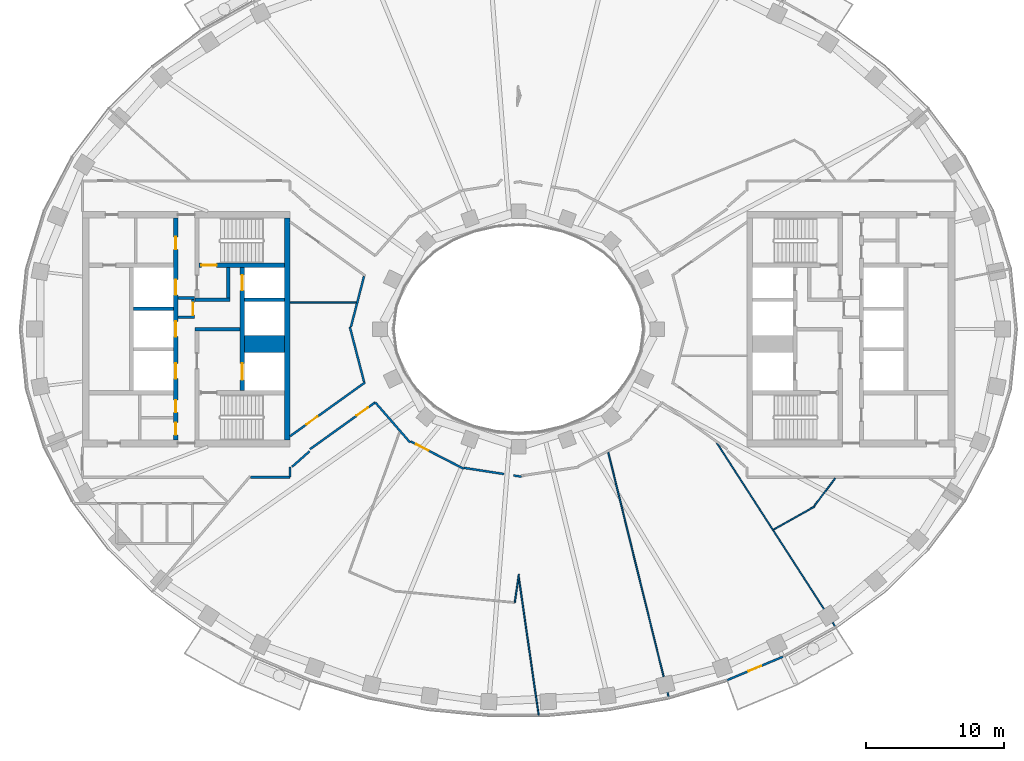
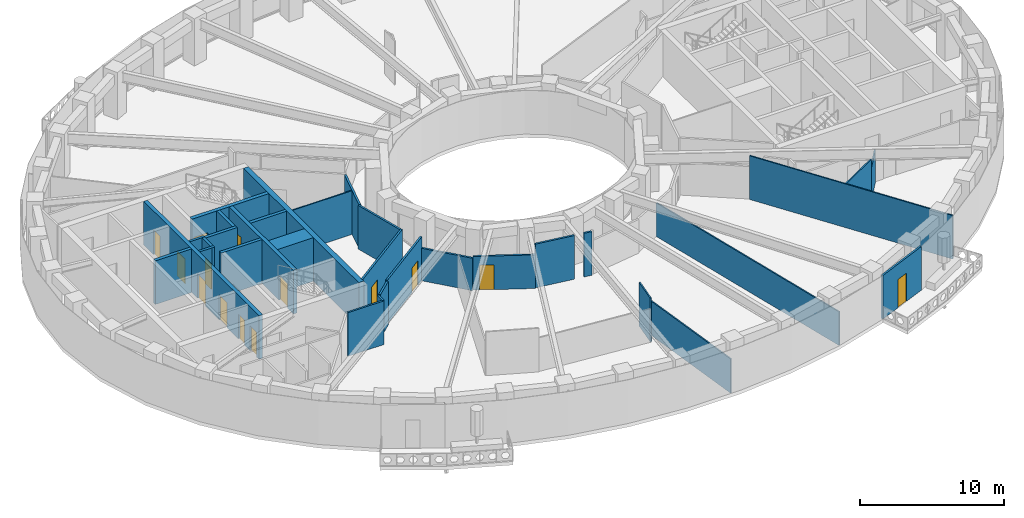
# One storey, part 4 of 15: 32 walls, 14 doors, 14 openings.
"""IFC4 building model written with IfcOpenShell, lengths in metres."""

from ifc_helpers import new_model, si_unit, direction, frame, frame_2d, origin, place, context, subcontext, project, spatial, rectangle, extrude, material, layer, layer_set, type_object, element, fill, save


model = new_model("IFC4")

# Units and contexts
model_context = context("Model", 3, precision=1e-05, world=origin(), true_north=direction((0.0, 1.0)))
body_context = subcontext(model_context, "Body", "Model", "MODEL_VIEW")
ifc_project = project(units=[si_unit("LENGTHUNIT", "METRE"), si_unit("AREAUNIT", "SQUARE_METRE"), si_unit("VOLUMEUNIT", "CUBIC_METRE"), si_unit("PLANEANGLEUNIT", "RADIAN"), si_unit("MASSUNIT", "GRAM", prefix="KILO")], contexts=[model_context])

# Site, building, storey
site_placement = place(None, origin())
site = spatial("IfcSite", under=ifc_project, at=site_placement, CompositionType="ELEMENT")
building_placement = place(site_placement, origin())
building = spatial("IfcBuilding", under=site, at=building_placement, Name="Noorbagh Ring Tower", CompositionType="ELEMENT")
storey_placement = place(building_placement, frame((0.0, 0.0, 182.0)))
storey = spatial("IfcBuildingStorey", under=building, at=storey_placement, Name="L42", CompositionType="ELEMENT", Elevation=182.0)

# Walls
ifc_material_1 = material(Name="Gypsum board on steel studs", Category="steel")
ifc_layer_1 = layer(ifc_material_1, 0.199951171875)
ifc_layer_set_1 = layer_set([ifc_layer_1], Name="Gypsum board on steel studs")
wall_type_1 = type_object("IfcWallType", Name="CORE-PARTITION-200", PredefinedType="PARTITIONING", material=ifc_layer_set_1)
for number, where, z_axis, x_axis, name in (
    (1, (-23.39990234375, 0.85009765625, 0.0), (0.0, 0.0, 1.0), (-1.0, 0.0, 0.0), "Core partition W"),
    (2, (-23.39990234375, 2.25, 0.0), (0.0, 0.0, 1.0), (-1.0, 0.0, 0.0), "Core partition W"),
):
    element("IfcWall", number, at=place(storey_placement, frame(where, z_axis=z_axis, x_axis=x_axis)), inside=storey, type_object=wall_type_1, Name=name, PredefinedType="PARTITIONING", context=body_context, shape_type="SweptSolid", body=[
        extrude(rectangle(XDim=1.2001953125, YDim=0.199951171875, at=frame_2d((0.60009765625, 0.0))), origin(), (0.0, 0.0, 1.0), 3.699951171875),
    ])

# Wall, opening, door
wall_1_placement = place(storey_placement, frame((-23.5, 0.75, 0.0), z_axis=(0.0, 0.0, 1.0), x_axis=(0.0, 1.0, 0.0)))
wall_1 = element("IfcWall", 3, at=wall_1_placement, inside=storey, type_object=wall_type_1, Name="Core partition W", PredefinedType="PARTITIONING", context=body_context, shape_type="SweptSolid", body=[
    extrude(rectangle(XDim=1.60009765625, YDim=0.199951171875, at=frame_2d((0.800048828125, 0.0))), origin(), (0.0, 0.0, 1.0), 3.699951171875),
])
opening_1_placement = place(wall_1_placement, frame((0.25, 0.0, 0.0)))
opening_1 = element("IfcOpeningElement", 4, at=opening_1_placement, cuts=wall_1, Name="Opening L42-CW17", PredefinedType="OPENING", context=body_context, shape_type="SweptSolid", body=[
    extrude(rectangle(XDim=0.89990234375, YDim=2.10009765625, at=frame_2d((0.449951171875, 1.050048828125))), frame((0.0, 0.10986328125, 0.0), z_axis=(0.0, -1.0, 0.0), x_axis=(1.0, 0.0, 0.0)), (0.0, 0.0, 1.0), 0.219970703125),
])
ifc_material_2 = material(Name="Steel door leaf", Category="steel")
door_type_1 = type_object("IfcDoorType", Name="CORE-DOOR-DROOM", OperationType="SINGLE_SWING_LEFT", PredefinedType="DOOR", material=ifc_material_2)
door_1_placement = place(opening_1_placement, origin())
door_1 = element("IfcDoor", 5, at=door_1_placement, inside=storey, type_object=door_type_1, Name="Core room door L42-CW17", OperationType="SINGLE_SWING_RIGHT", OverallHeight=2.10009765625, OverallWidth=0.89990234375, PredefinedType="DOOR", context=body_context, shape_type="SweptSolid", body=[
    extrude(rectangle(XDim=0.89990234375, YDim=2.10009765625, at=frame_2d((0.449951171875, 1.050048828125))), frame((0.0, 0.02490234375, 0.0), z_axis=(0.0, -1.0, 0.0), x_axis=(1.0, 0.0, 0.0)), (0.0, 0.0, 1.0), 0.050048828125),
])
fill(opening_1, door_1)

# Walls
ifc_material_3 = material(Name="Concrete C60/75", Category="concrete")
ifc_layer_2 = layer(ifc_material_3, 1.25)
ifc_layer_set_2 = layer_set([ifc_layer_2], Name="Concrete C60/75")
wall_type_2 = type_object("IfcWallType", Name="CORE-WALL-1250-C60-75-EI120", PredefinedType="SHEAR", material=ifc_layer_set_2)
wall_2_placement = place(storey_placement, frame((-16.89990234375, -1.074951171875, 0.0), z_axis=(0.0, 0.0, 1.0), x_axis=(-1.0, 0.0, 0.0)))
element("IfcWall", 6, at=wall_2_placement, inside=storey, type_object=wall_type_2, Name="Core wall W", PredefinedType="SHEAR", context=body_context, shape_type="SweptSolid", body=[
    extrude(rectangle(XDim=2.900146484375, YDim=1.25, at=frame_2d((1.4501953125, 0.0))), origin(), (0.0, 0.0, 1.0), 3.699951171875),
])
ifc_material_4 = material(Name="Concrete C60/75", Category="concrete")
ifc_layer_3 = layer(ifc_material_4, 0.25)
ifc_layer_set_3 = layer_set([ifc_layer_3], Name="Concrete C60/75")
wall_type_3 = type_object("IfcWallType", Name="CORE-WALL-250-C60-75-EI120", PredefinedType="SHEAR", material=ifc_layer_set_3)
for number, where, z_axis, x_axis, name in (
    (7, (-16.89990234375, 2.125, 0.0), (0.0, 0.0, 1.0), (-1.0, 0.0, 0.0), "Core wall W"),
    (8, (-24.89990234375, 1.47509765625, 0.0), (0.0, 0.0, 1.0), (-1.0, 0.0, 0.0), "Core wall W"),
):
    element("IfcWall", number, at=place(storey_placement, frame(where, z_axis=z_axis, x_axis=x_axis)), inside=storey, type_object=wall_type_3, Name=name, PredefinedType="SHEAR", context=body_context, shape_type="SweptSolid", body=[
        extrude(rectangle(XDim=2.900146484375, YDim=0.25, at=frame_2d((1.4501953125, 0.0))), origin(), (0.0, 0.0, 1.0), 3.699951171875),
    ])
ifc_material_5 = material(Name="Concrete C60/75", Category="concrete")
ifc_layer_4 = layer(ifc_material_5, 0.25)
ifc_layer_set_4 = layer_set([ifc_layer_4], Name="Concrete C60/75")
wall_type_4 = type_object("IfcWallType", Name="CORE-WALL-250-C60-75-EI240", PredefinedType="SHEAR", material=ifc_layer_set_4)
wall_3_placement = place(storey_placement, frame((-20.10009765625, 0.0, 0.0), z_axis=(0.0, 0.0, 1.0), x_axis=(-1.0, 0.0, 0.0)))
element("IfcWall", 9, at=wall_3_placement, inside=storey, type_object=wall_type_4, Name="Core wall W", PredefinedType="SHEAR", context=body_context, shape_type="SweptSolid", body=[
    extrude(rectangle(XDim=3.27978515625, YDim=0.25, at=frame_2d((1.639892578125, 0.0))), origin(), (0.0, 0.0, 1.0), 3.699951171875),
])
wall_4_placement = place(storey_placement, frame((-20.85009765625, 2.125, 0.0), z_axis=(0.0, 0.0, 1.0), x_axis=(-1.0, 0.0, 0.0)))
element("IfcWall", 10, at=wall_4_placement, inside=storey, type_object=wall_type_4, Name="Core wall W", PredefinedType="SHEAR", context=body_context, shape_type="SweptSolid", body=[
    extrude(rectangle(XDim=2.52978515625, YDim=0.25, at=frame_2d((1.264892578125, 0.0))), origin(), (0.0, 0.0, 1.0), 3.699951171875),
])
wall_5_placement = place(storey_placement, frame((-20.97509765625, 2.25, 0.0), z_axis=(0.0, 0.0, 1.0), x_axis=(0.0, 1.0, 0.0)))
element("IfcWall", 11, at=wall_5_placement, inside=storey, type_object=wall_type_4, Name="Core wall W", PredefinedType="SHEAR", context=body_context, shape_type="SweptSolid", body=[
    extrude(rectangle(XDim=2.199951171875, YDim=0.25, at=frame_2d((1.10009765625, 0.0))), origin(), (0.0, 0.0, 1.0), 3.699951171875),
])

# Wall, openings, doors
ifc_material_6 = material(Name="Concrete C60/75", Category="concrete")
ifc_layer_5 = layer(ifc_material_6, 0.300048828125)
ifc_layer_set_5 = layer_set([ifc_layer_5], Name="Concrete C60/75")
wall_type_5 = type_object("IfcWallType", Name="CORE-WALL-300-C60-75-EI120", PredefinedType="SHEAR", material=ifc_layer_set_5)
wall_6_placement = place(storey_placement, frame((-19.949951171875, -4.449951171875, 0.0), z_axis=(0.0, 0.0, 1.0), x_axis=(0.0, 1.0, 0.0)))
wall_6 = element("IfcWall", 12, at=wall_6_placement, inside=storey, type_object=wall_type_5, Name="Core wall W", PredefinedType="SHEAR", context=body_context, shape_type="SweptSolid", body=[
    extrude(rectangle(XDim=8.89990234375, YDim=0.300048828125, at=frame_2d((4.449951171875, 0.0))), origin(), (0.0, 0.0, 1.0), 3.699951171875),
])
opening_2_placement = place(wall_6_placement, frame((0.77490234375, 0.0, 0.0)))
opening_2 = element("IfcOpeningElement", 13, at=opening_2_placement, cuts=wall_6, Name="Opening L42-CW01", PredefinedType="OPENING", context=body_context, shape_type="SweptSolid", body=[
    extrude(rectangle(XDim=1.199951171875, YDim=2.10009765625, at=frame_2d((0.60009765625, 1.050048828125))), frame((0.0, 0.16015625, 0.0), z_axis=(0.0, -1.0, 0.0), x_axis=(1.0, 0.0, 0.0)), (0.0, 0.0, 1.0), 0.320068359375),
])
opening_3_placement = place(wall_6_placement, frame((7.25, 0.0, 0.0)))
opening_3 = element("IfcOpeningElement", 14, at=opening_3_placement, cuts=wall_6, Name="Opening L42-CW02", PredefinedType="OPENING", context=body_context, shape_type="SweptSolid", body=[
    extrude(rectangle(XDim=1.10009765625, YDim=2.10009765625, at=frame_2d((0.550048828125, 1.050048828125))), frame((0.0, 0.16015625, 0.0), z_axis=(0.0, -1.0, 0.0), x_axis=(1.0, 0.0, 0.0)), (0.0, 0.0, 1.0), 0.320068359375),
])
ifc_material_7 = material(Name="Steel door leaf", Category="steel")
door_type_2 = type_object("IfcDoorType", Name="CORE-DOOR-LD", OperationType="DOUBLE_DOOR_SLIDING", PredefinedType="DOOR", material=ifc_material_7)
door_2_placement = place(opening_3_placement, origin())
door_2 = element("IfcDoor", 15, at=door_2_placement, inside=storey, type_object=door_type_2, Name="Landing door HR1 L42-CW02", OperationType="DOUBLE_DOOR_SLIDING", OverallHeight=2.10009765625, OverallWidth=1.10009765625, PredefinedType="DOOR", context=body_context, shape_type="SweptSolid", body=[
    extrude(rectangle(XDim=1.10009765625, YDim=2.10009765625, at=frame_2d((0.550048828125, 1.050048828125))), frame((0.0, 0.02490234375, 0.0), z_axis=(0.0, -1.0, 0.0), x_axis=(1.0, 0.0, 0.0)), (0.0, 0.0, 1.0), 0.050048828125),
])
fill(opening_3, door_2)
ifc_material_8 = material(Name="Steel door leaf", Category="steel")
door_type_3 = type_object("IfcDoorType", Name="CORE-DOOR-LDW", OperationType="DOUBLE_DOOR_SLIDING", PredefinedType="DOOR", material=ifc_material_8)
door_3_placement = place(opening_2_placement, origin())
door_3 = element("IfcDoor", 16, at=door_3_placement, inside=storey, type_object=door_type_3, Name="Landing door FF1 L42-CW01", OperationType="DOUBLE_DOOR_SLIDING", OverallHeight=2.10009765625, OverallWidth=1.199951171875, PredefinedType="DOOR", context=body_context, shape_type="SweptSolid", body=[
    extrude(rectangle(XDim=1.199951171875, YDim=2.10009765625, at=frame_2d((0.60009765625, 1.050048828125))), frame((0.0, 0.02490234375, 0.0), z_axis=(0.0, -1.0, 0.0), x_axis=(1.0, 0.0, 0.0)), (0.0, 0.0, 1.0), 0.050048828125),
])
fill(opening_2, door_3)

wall_7_placement = place(storey_placement, frame((-24.75, -8.0, 0.0), z_axis=(0.0, 0.0, 1.0), x_axis=(0.0, 1.0, 0.0)))
wall_7 = element("IfcWall", 17, at=wall_7_placement, inside=storey, type_object=wall_type_5, Name="Core wall W", PredefinedType="SHEAR", context=body_context, shape_type="SweptSolid", body=[
    extrude(rectangle(XDim=16.0, YDim=0.300048828125, at=frame_2d((8.0, 0.0))), origin(), (0.0, 0.0, 1.0), 3.699951171875),
])
opening_4_placement = place(wall_7_placement, frame((4.425048828125, 0.0, 0.0)))
opening_4 = element("IfcOpeningElement", 18, at=opening_4_placement, cuts=wall_7, Name="Opening L42-CW03", PredefinedType="OPENING", context=body_context, shape_type="SweptSolid", body=[
    extrude(rectangle(XDim=1.10009765625, YDim=2.10009765625, at=frame_2d((0.550048828125, 1.050048828125))), frame((0.0, 0.16015625, 0.0), z_axis=(0.0, -1.0, 0.0), x_axis=(1.0, 0.0, 0.0)), (0.0, 0.0, 1.0), 0.320068359375),
])
opening_5_placement = place(wall_7_placement, frame((7.449951171875, 0.0, 0.0)))
opening_5 = element("IfcOpeningElement", 19, at=opening_5_placement, cuts=wall_7, Name="Opening L42-CW04", PredefinedType="OPENING", context=body_context, shape_type="SweptSolid", body=[
    extrude(rectangle(XDim=1.10009765625, YDim=2.10009765625, at=frame_2d((0.550048828125, 1.050048828125))), frame((0.0, 0.16015625, 0.0), z_axis=(0.0, -1.0, 0.0), x_axis=(1.0, 0.0, 0.0)), (0.0, 0.0, 1.0), 0.320068359375),
])
opening_6_placement = place(wall_7_placement, frame((10.47509765625, 0.0, 0.0)))
opening_6 = element("IfcOpeningElement", 20, at=opening_6_placement, cuts=wall_7, Name="Opening L42-CW05", PredefinedType="OPENING", context=body_context, shape_type="SweptSolid", body=[
    extrude(rectangle(XDim=1.10009765625, YDim=2.10009765625, at=frame_2d((0.550048828125, 1.050048828125))), frame((0.0, 0.16015625, 0.0), z_axis=(0.0, -1.0, 0.0), x_axis=(1.0, 0.0, 0.0)), (0.0, 0.0, 1.0), 0.320068359375),
])
opening_7_placement = place(wall_7_placement, frame((13.75, 0.0, 0.0)))
opening_7 = element("IfcOpeningElement", 21, at=opening_7_placement, cuts=wall_7, Name="Opening L42-CW12", PredefinedType="OPENING", context=body_context, shape_type="SweptSolid", body=[
    extrude(rectangle(XDim=0.89990234375, YDim=2.10009765625, at=frame_2d((0.449951171875, 1.050048828125))), frame((0.0, 0.16015625, 0.0), z_axis=(0.0, -1.0, 0.0), x_axis=(1.0, 0.0, 0.0)), (0.0, 0.0, 1.0), 0.320068359375),
])
opening_8_placement = place(wall_7_placement, frame((1.97509765625, 0.0, 0.0)))
opening_8 = element("IfcOpeningElement", 22, at=opening_8_placement, cuts=wall_7, Name="Opening L42-CW14", PredefinedType="OPENING", context=body_context, shape_type="SweptSolid", body=[
    extrude(rectangle(XDim=0.89990234375, YDim=2.10009765625, at=frame_2d((0.449951171875, 1.050048828125))), frame((0.0, 0.16015625, 0.0), z_axis=(0.0, -1.0, 0.0), x_axis=(1.0, 0.0, 0.0)), (0.0, 0.0, 1.0), 0.320068359375),
])
opening_9_placement = place(wall_7_placement, frame((0.35009765625, 0.0, 0.0)))
opening_9 = element("IfcOpeningElement", 23, at=opening_9_placement, cuts=wall_7, Name="Opening L42-CW15", PredefinedType="OPENING", context=body_context, shape_type="SweptSolid", body=[
    extrude(rectangle(XDim=0.89990234375, YDim=2.10009765625, at=frame_2d((0.449951171875, 1.050048828125))), frame((0.0, 0.16015625, 0.0), z_axis=(0.0, -1.0, 0.0), x_axis=(1.0, 0.0, 0.0)), (0.0, 0.0, 1.0), 0.320068359375),
])
door_4_placement = place(opening_7_placement, origin())
door_4 = element("IfcDoor", 24, at=door_4_placement, inside=storey, type_object=door_type_1, Name="Core room door L42-CW12", OperationType="SINGLE_SWING_RIGHT", OverallHeight=2.10009765625, OverallWidth=0.89990234375, PredefinedType="DOOR", context=body_context, shape_type="SweptSolid", body=[
    extrude(rectangle(XDim=0.89990234375, YDim=2.10009765625, at=frame_2d((0.449951171875, 1.050048828125))), frame((0.0, 0.02490234375, 0.0), z_axis=(0.0, -1.0, 0.0), x_axis=(1.0, 0.0, 0.0)), (0.0, 0.0, 1.0), 0.050048828125),
])
fill(opening_7, door_4)
door_5_placement = place(opening_8_placement, origin())
door_5 = element("IfcDoor", 25, at=door_5_placement, inside=storey, type_object=door_type_1, Name="Core room door L42-CW14", OperationType="SINGLE_SWING_RIGHT", OverallHeight=2.10009765625, OverallWidth=0.89990234375, PredefinedType="DOOR", context=body_context, shape_type="SweptSolid", body=[
    extrude(rectangle(XDim=0.89990234375, YDim=2.10009765625, at=frame_2d((0.449951171875, 1.050048828125))), frame((0.0, 0.02490234375, 0.0), z_axis=(0.0, -1.0, 0.0), x_axis=(1.0, 0.0, 0.0)), (0.0, 0.0, 1.0), 0.050048828125),
])
fill(opening_8, door_5)
door_6_placement = place(opening_9_placement, origin())
door_6 = element("IfcDoor", 26, at=door_6_placement, inside=storey, type_object=door_type_1, Name="Core room door L42-CW15", OperationType="SINGLE_SWING_LEFT", OverallHeight=2.10009765625, OverallWidth=0.89990234375, PredefinedType="DOOR", context=body_context, shape_type="SweptSolid", body=[
    extrude(rectangle(XDim=0.89990234375, YDim=2.10009765625, at=frame_2d((0.449951171875, 1.050048828125))), frame((0.0, 0.02490234375, 0.0), z_axis=(0.0, -1.0, 0.0), x_axis=(1.0, 0.0, 0.0)), (0.0, 0.0, 1.0), 0.050048828125),
])
fill(opening_9, door_6)
door_7_placement = place(opening_4_placement, origin())
door_7 = element("IfcDoor", 27, at=door_7_placement, inside=storey, type_object=door_type_2, Name="Landing door HR2 L42-CW03", OperationType="DOUBLE_DOOR_SLIDING", OverallHeight=2.10009765625, OverallWidth=1.10009765625, PredefinedType="DOOR", context=body_context, shape_type="SweptSolid", body=[
    extrude(rectangle(XDim=1.10009765625, YDim=2.10009765625, at=frame_2d((0.550048828125, 1.050048828125))), frame((0.0, 0.02490234375, 0.0), z_axis=(0.0, -1.0, 0.0), x_axis=(1.0, 0.0, 0.0)), (0.0, 0.0, 1.0), 0.050048828125),
])
fill(opening_4, door_7)
door_8_placement = place(opening_5_placement, origin())
door_8 = element("IfcDoor", 28, at=door_8_placement, inside=storey, type_object=door_type_2, Name="Landing door HR3 L42-CW04", OperationType="DOUBLE_DOOR_SLIDING", OverallHeight=2.10009765625, OverallWidth=1.10009765625, PredefinedType="DOOR", context=body_context, shape_type="SweptSolid", body=[
    extrude(rectangle(XDim=1.10009765625, YDim=2.10009765625, at=frame_2d((0.550048828125, 1.050048828125))), frame((0.0, 0.02490234375, 0.0), z_axis=(0.0, -1.0, 0.0), x_axis=(1.0, 0.0, 0.0)), (0.0, 0.0, 1.0), 0.050048828125),
])
fill(opening_5, door_8)
door_9_placement = place(opening_6_placement, origin())
door_9 = element("IfcDoor", 29, at=door_9_placement, inside=storey, type_object=door_type_2, Name="Landing door HR4 L42-CW05", OperationType="DOUBLE_DOOR_SLIDING", OverallHeight=2.10009765625, OverallWidth=1.10009765625, PredefinedType="DOOR", context=body_context, shape_type="SweptSolid", body=[
    extrude(rectangle(XDim=1.10009765625, YDim=2.10009765625, at=frame_2d((0.550048828125, 1.050048828125))), frame((0.0, 0.02490234375, 0.0), z_axis=(0.0, -1.0, 0.0), x_axis=(1.0, 0.0, 0.0)), (0.0, 0.0, 1.0), 0.050048828125),
])
fill(opening_6, door_9)

# Wall, opening, door
ifc_material_9 = material(Name="Concrete C60/75", Category="concrete")
ifc_layer_6 = layer(ifc_material_9, 0.300048828125)
ifc_layer_set_6 = layer_set([ifc_layer_6], Name="Concrete C60/75")
wall_type_6 = type_object("IfcWallType", Name="CORE-WALL-300-C60-75-EI240", PredefinedType="SHEAR", material=ifc_layer_set_6)
wall_8_placement = place(storey_placement, frame((-16.89990234375, 4.60009765625, 0.0), z_axis=(0.0, 0.0, 1.0), x_axis=(-1.0, 0.0, 0.0)))
wall_8 = element("IfcWall", 30, at=wall_8_placement, inside=storey, type_object=wall_type_6, Name="Core wall W", PredefinedType="SHEAR", context=body_context, shape_type="SweptSolid", body=[
    extrude(rectangle(XDim=6.18017578125, YDim=0.300048828125, at=frame_2d((3.090087890625, 0.0))), origin(), (0.0, 0.0, 1.0), 3.699951171875),
])
opening_10_placement = place(wall_8_placement, frame((4.89990234375, 0.0, 0.0)))
opening_10 = element("IfcOpeningElement", 31, at=opening_10_placement, cuts=wall_8, Name="Opening L42-CW06", PredefinedType="OPENING", context=body_context, shape_type="SweptSolid", body=[
    extrude(rectangle(XDim=1.10009765625, YDim=2.10009765625, at=frame_2d((0.550048828125, 1.050048828125))), frame((0.0, 0.16015625, 0.0), z_axis=(0.0, -1.0, 0.0), x_axis=(1.0, 0.0, 0.0)), (0.0, 0.0, 1.0), 0.320068359375),
])
ifc_material_10 = material(Name="Steel door leaf", Category="steel")
door_type_4 = type_object("IfcDoorType", Name="CORE-DOOR-DSTAIR", OperationType="SINGLE_SWING_LEFT", PredefinedType="DOOR", material=ifc_material_10)
door_10_placement = place(opening_10_placement, origin())
door_10 = element("IfcDoor", 32, at=door_10_placement, inside=storey, type_object=door_type_4, Name="Stair door ST1 L42-CW06", OperationType="SINGLE_SWING_RIGHT", OverallHeight=2.10009765625, OverallWidth=1.10009765625, PredefinedType="DOOR", context=body_context, shape_type="SweptSolid", body=[
    extrude(rectangle(XDim=1.10009765625, YDim=2.10009765625, at=frame_2d((0.550048828125, 1.050048828125))), frame((0.0, 0.02490234375, 0.0), z_axis=(0.0, -1.0, 0.0), x_axis=(1.0, 0.0, 0.0)), (0.0, 0.0, 1.0), 0.050048828125),
])
fill(opening_10, door_10)

# Walls
ifc_material_11 = material(Name="Concrete C60/75", Category="concrete")
ifc_layer_7 = layer(ifc_material_11, 0.39990234375)
ifc_layer_set_7 = layer_set([ifc_layer_7], Name="Concrete C60/75")
wall_type_7 = type_object("IfcWallType", Name="CORE-WALL-400-C60-75-EI240", PredefinedType="SHEAR", material=ifc_layer_set_7)
wall_9_placement = place(storey_placement, frame((-16.699951171875, -8.0, 0.0), z_axis=(0.0, 0.0, 1.0), x_axis=(0.0, 1.0, 0.0)))
element("IfcWall", 33, at=wall_9_placement, inside=storey, type_object=wall_type_7, Name="Core wall W", PredefinedType="SHEAR", context=body_context, shape_type="SweptSolid", body=[
    extrude(rectangle(XDim=16.0, YDim=0.39990234375, at=frame_2d((8.0, 0.0))), origin(), (0.0, 0.0, 1.0), 3.699951171875),
])
ifc_material_12 = material(Name="Gypsum board on steel studs", Category="steel")
ifc_layer_8 = layer(ifc_material_12, 0.14990234375)
ifc_layer_set_8 = layer_set([ifc_layer_8], Name="Gypsum board on steel studs")
wall_type_8 = type_object("IfcWallType", Name="CORRIDOR PARTITION 150 EI 30", PredefinedType="PARTITIONING", material=ifc_layer_set_8)
wall_10_placement = place(storey_placement, frame((-19.346923828125, -10.699951171875, 0.0), z_axis=(0.0, 0.0, 1.0), x_axis=(1.0, 0.0, 0.0)))
element("IfcWall", 34, at=wall_10_placement, inside=storey, type_object=wall_type_8, Name="L42/wall/P18", PredefinedType="PARTITIONING", context=body_context, shape_type="SweptSolid", body=[
    extrude(rectangle(XDim=2.846923828125, YDim=0.14990234375, at=frame_2d((1.42333984375, 0.0))), origin(), (0.0, 0.0, 1.0), 3.699951171875),
])
wall_11_placement = place(storey_placement, frame((-16.5, -10.699951171875, 0.0), z_axis=(0.0, 0.0, 1.0), x_axis=(0.0, 1.0, 0.0)))
element("IfcWall", 35, at=wall_11_placement, inside=storey, type_object=wall_type_8, Name="L42/wall/P19", PredefinedType="PARTITIONING", context=body_context, shape_type="SweptSolid", body=[
    extrude(rectangle(XDim=0.73583984375, YDim=0.14990234375, at=frame_2d((0.367919921875, 0.0))), origin(), (0.0, 0.0, 1.0), 3.699951171875),
])

# Wall, opening, door
wall_12_placement = place(storey_placement, frame((-16.5, -7.739013671875, 0.0), z_axis=(0.0, 0.0, 1.0), x_axis=(0.812415179651, 0.583079390712, 0.0)))
wall_12 = element("IfcWall", 36, at=wall_12_placement, inside=storey, type_object=wall_type_8, Name="L42/wall/P22", PredefinedType="PARTITIONING", context=body_context, shape_type="SweptSolid", body=[
    extrude(rectangle(XDim=6.68017578125, YDim=0.14990234375, at=frame_2d((3.340087890625, 0.0))), origin(), (0.0, 0.0, 1.0), 3.699951171875),
])
opening_11_placement = place(wall_12_placement, frame((1.449951171875, 0.0, 0.0)))
opening_11 = element("IfcOpeningElement", 37, at=opening_11_placement, cuts=wall_12, Name="Opening D1", PredefinedType="OPENING", context=body_context, shape_type="SweptSolid", body=[
    extrude(rectangle(XDim=1.0, YDim=2.10009765625, at=frame_2d((0.5, 1.050048828125))), frame((0.0, 0.0849609375, 0.0), z_axis=(0.0, -1.0, 0.0), x_axis=(1.0, 0.0, 0.0)), (0.0, 0.0, 1.0), 0.169921875),
])
ifc_material_13 = material(Name="Timber, painted", Category="wood")
door_type_5 = type_object("IfcDoorType", Name="DOOR 1000 X 2100 FD30", OperationType="SINGLE_SWING_LEFT", PredefinedType="DOOR", material=ifc_material_13)
door_11_placement = place(opening_11_placement, origin())
door_11 = element("IfcDoor", 38, at=door_11_placement, inside=storey, type_object=door_type_5, Name="L42-D16", OperationType="SINGLE_SWING_RIGHT", OverallHeight=2.10009765625, OverallWidth=1.0, PredefinedType="DOOR", context=body_context, shape_type="SweptSolid", body=[
    extrude(rectangle(XDim=1.0, YDim=2.10009765625, at=frame_2d((0.5, 1.050048828125))), frame((0.0, 0.02490234375, 0.0), z_axis=(0.0, -1.0, 0.0), x_axis=(1.0, 0.0, 0.0)), (0.0, 0.0, 1.0), 0.050048828125),
])
fill(opening_11, door_11)

wall_13_placement = place(storey_placement, frame((-15.06201171875, -8.676025390625, 0.0), z_axis=(0.0, 0.0, 1.0), x_axis=(0.812494026232, 0.582969516645, 0.0)))
wall_13 = element("IfcWall", 39, at=wall_13_placement, inside=storey, type_object=wall_type_8, Name="L42/wall/P24", PredefinedType="PARTITIONING", context=body_context, shape_type="SweptSolid", body=[
    extrude(rectangle(XDim=5.798095703125, YDim=0.14990234375, at=frame_2d((2.89892578125, 0.0))), origin(), (0.0, 0.0, 1.0), 3.699951171875),
])
opening_12_placement = place(wall_13_placement, frame((4.14990234375, 0.0, 0.0)))
opening_12 = element("IfcOpeningElement", 40, at=opening_12_placement, cuts=wall_13, Name="Opening D1", PredefinedType="OPENING", context=body_context, shape_type="SweptSolid", body=[
    extrude(rectangle(XDim=1.0, YDim=2.10009765625, at=frame_2d((0.5, 1.050048828125))), frame((0.0, 0.0849609375, 0.0), z_axis=(0.0, -1.0, 0.0), x_axis=(1.0, 0.0, 0.0)), (0.0, 0.0, 1.0), 0.169921875),
])
door_12_placement = place(opening_12_placement, origin())
door_12 = element("IfcDoor", 41, at=door_12_placement, inside=storey, type_object=door_type_5, Name="L42-D08", OperationType="SINGLE_SWING_RIGHT", OverallHeight=2.10009765625, OverallWidth=1.0, PredefinedType="DOOR", context=body_context, shape_type="SweptSolid", body=[
    extrude(rectangle(XDim=1.0, YDim=2.10009765625, at=frame_2d((0.5, 1.050048828125))), frame((0.0, 0.02490234375, 0.0), z_axis=(0.0, -1.0, 0.0), x_axis=(1.0, 0.0, 0.0)), (0.0, 0.0, 1.0), 0.050048828125),
])
fill(opening_12, door_12)

# Walls
wall_14_placement = place(storey_placement, frame((-12.18505859375, 0.14990234375, 0.0), z_axis=(0.0, 0.0, 1.0), x_axis=(0.250889720729, -0.96801567551, 0.0)))
element("IfcWall", 42, at=wall_14_placement, inside=storey, type_object=wall_type_8, Name="L42/wall/P28", PredefinedType="PARTITIONING", context=body_context, shape_type="SweptSolid", body=[
    extrude(rectangle(XDim=4.09375, YDim=0.14990234375, at=frame_2d((2.046875, 0.0))), origin(), (0.0, 0.0, 1.0), 3.699951171875),
])
wall_15_placement = place(storey_placement, frame((-12.10693359375, 0.14990234375, 0.0), z_axis=(0.0, 0.0, 1.0), x_axis=(0.250785266445, 0.968042741894, 0.0)))
element("IfcWall", 43, at=wall_15_placement, inside=storey, type_object=wall_type_8, Name="L42/wall/P29", PredefinedType="PARTITIONING", context=body_context, shape_type="SweptSolid", body=[
    extrude(rectangle(XDim=3.783935546875, YDim=0.14990234375, at=frame_2d((1.89208984375, 0.0))), origin(), (0.0, 0.0, 1.0), 3.699951171875),
])
wall_16_placement = place(storey_placement, frame((-10.35107421875, -5.2958984375, 0.0), z_axis=(0.0, 0.0, 1.0), x_axis=(0.656297424411, -0.754502280124, 0.0)))
element("IfcWall", 44, at=wall_16_placement, inside=storey, type_object=wall_type_8, Name="L42/wall/P30", PredefinedType="PARTITIONING", context=body_context, shape_type="SweptSolid", body=[
    extrude(rectangle(XDim=3.818603515625, YDim=0.14990234375, at=frame_2d((1.9091796875, 0.0))), origin(), (0.0, 0.0, 1.0), 2.75),
])

# Wall, opening, door
wall_17_placement = place(storey_placement, frame((-7.798095703125, -8.115966796875, 0.0), z_axis=(0.0, 0.0, 1.0), x_axis=(0.889319313061, -0.457286736542, 0.0)))
wall_17 = element("IfcWall", 45, at=wall_17_placement, inside=storey, type_object=wall_type_8, Name="L42/wall/P33", PredefinedType="PARTITIONING", context=body_context, shape_type="SweptSolid", body=[
    extrude(rectangle(XDim=4.3212890625, YDim=0.14990234375, at=frame_2d((2.16064453125, 0.0))), origin(), (0.0, 0.0, 1.0), 2.85009765625),
])
opening_13_placement = place(wall_17_placement, frame((0.447998046875, 0.0, 0.0)))
opening_13 = element("IfcOpeningElement", 46, at=opening_13_placement, cuts=wall_17, Name="Opening D1", PredefinedType="OPENING", context=body_context, shape_type="SweptSolid", body=[
    extrude(rectangle(XDim=1.0, YDim=2.10009765625, at=frame_2d((0.5, 1.050048828125))), frame((0.0, 0.0849609375, 0.0), z_axis=(0.0, -1.0, 0.0), x_axis=(1.0, 0.0, 0.0)), (0.0, 0.0, 1.0), 0.169921875),
])
door_13_placement = place(opening_13_placement, origin())
door_13 = element("IfcDoor", 47, at=door_13_placement, inside=storey, type_object=door_type_5, Name="L42-D09", OperationType="SINGLE_SWING_LEFT", OverallHeight=2.10009765625, OverallWidth=1.0, PredefinedType="DOOR", context=body_context, shape_type="SweptSolid", body=[
    extrude(rectangle(XDim=1.0, YDim=2.10009765625, at=frame_2d((0.5, 1.050048828125))), frame((0.0, 0.02490234375, 0.0), z_axis=(0.0, -1.0, 0.0), x_axis=(1.0, 0.0, 0.0)), (0.0, 0.0, 1.0), 0.050048828125),
])
fill(opening_13, door_13)

# Walls
wall_18_placement = place(storey_placement, frame((-3.93408203125, -10.02587890625, 0.0), z_axis=(0.0, 0.0, 1.0), x_axis=(0.98846976838, -0.15141835093, 0.0)))
element("IfcWall", 48, at=wall_18_placement, inside=storey, type_object=wall_type_8, Name="L42/wall/P35", PredefinedType="PARTITIONING", context=body_context, shape_type="SweptSolid", body=[
    extrude(rectangle(XDim=2.900634765625, YDim=0.14990234375, at=frame_2d((1.4501953125, 0.0))), origin(), (0.0, 0.0, 1.0), 3.699951171875),
])
wall_19_placement = place(storey_placement, frame((-0.362060546875, -10.572998046875, 0.0), z_axis=(0.0, 0.0, 1.0), x_axis=(0.98816182156, -0.153415170085, 0.0)))
element("IfcWall", 49, at=wall_19_placement, inside=storey, type_object=wall_type_8, Name="L42/wall/P38", PredefinedType="PARTITIONING", context=body_context, shape_type="SweptSolid", body=[
    extrude(rectangle(XDim=0.580810546875, YDim=0.14990234375, at=frame_2d((0.29052734375, 0.0))), origin(), (0.0, 0.0, 1.0), 3.699951171875),
])
wall_20_placement = place(storey_placement, frame((-15.087890625, -8.823974609375, 0.0), z_axis=(0.0, 0.0, 1.0), x_axis=(-0.749107006374, -0.662449011624, 0.0)))
element("IfcWall", 50, at=wall_20_placement, inside=storey, type_object=wall_type_8, Name="L42/wall/P76", PredefinedType="PARTITIONING", context=body_context, shape_type="SweptSolid", body=[
    extrude(rectangle(XDim=1.6875, YDim=0.14990234375, at=frame_2d((0.84375, 0.0))), origin(), (0.0, 0.0, 1.0), 3.699951171875),
])

# Wall, opening, door
ifc_material_14 = material(Name="Insulated aluminium clad panel", Category="aluminium")
ifc_layer_9 = layer(ifc_material_14, 0.14990234375)
ifc_layer_set_9 = layer_set([ifc_layer_9], Name="Insulated aluminium clad panel")
wall_type_9 = type_object("IfcWallType", Name="ENV-WALL-DOOR", PredefinedType="STANDARD", material=ifc_layer_set_9)
wall_21_placement = place(storey_placement, frame((15.017822265625, -25.368896484375, 0.0), z_axis=(0.0, 0.0, 1.0), x_axis=(0.921816985161, 0.387625393736, 0.0)))
wall_21 = element("IfcWall", 51, at=wall_21_placement, inside=storey, type_object=wall_type_9, Name="Balcony door wall chord 39", PredefinedType="STANDARD", context=body_context, shape_type="SweptSolid", body=[
    extrude(rectangle(XDim=4.42578125, YDim=0.14990234375, at=frame_2d((2.212890625, 0.0))), origin(), (0.0, 0.0, 1.0), 3.699951171875),
])
opening_14_placement = place(wall_21_placement, frame((1.712890625, 0.0, 0.0)))
opening_14 = element("IfcOpeningElement", 52, at=opening_14_placement, cuts=wall_21, Name="Opening D-BL", PredefinedType="OPENING", context=body_context, shape_type="SweptSolid", body=[
    extrude(rectangle(XDim=1.0, YDim=2.39990234375, at=frame_2d((0.5, 1.199951171875))), frame((0.0, 0.0849609375, 0.0), z_axis=(0.0, -1.0, 0.0), x_axis=(1.0, 0.0, 0.0)), (0.0, 0.0, 1.0), 0.169921875),
])
ifc_material_15 = material(Name="Aluminium and glass", Category="aluminium")
door_type_6 = type_object("IfcDoorType", Name="ENV-DOOR-BALCONY", OperationType="SINGLE_SWING_LEFT", PredefinedType="DOOR", material=ifc_material_15)
door_14_placement = place(opening_14_placement, origin())
door_14 = element("IfcDoor", 53, at=door_14_placement, inside=storey, type_object=door_type_6, Name="Balcony door chord 39", OperationType="SINGLE_SWING_LEFT", OverallHeight=2.39990234375, OverallWidth=1.0, PredefinedType="DOOR", context=body_context, shape_type="SweptSolid", body=[
    extrude(rectangle(XDim=1.0, YDim=2.39990234375, at=frame_2d((0.5, 1.199951171875))), frame((0.0, 0.02490234375, 0.0), z_axis=(0.0, -1.0, 0.0), x_axis=(1.0, 0.0, 0.0)), (0.0, 0.0, 1.0), 0.050048828125),
])
fill(opening_14, door_14)

# Walls
ifc_material_16 = material(Name="Gypsum board on steel studs", Category="steel")
ifc_layer_10 = layer(ifc_material_16, 0.10009765625)
ifc_layer_set_10 = layer_set([ifc_layer_10], Name="Gypsum board on steel studs")
wall_type_10 = type_object("IfcWallType", Name="PARTITION 100 GYPSUM", PredefinedType="PARTITIONING", material=ifc_layer_set_10)
wall_22_placement = place(storey_placement, frame((-16.5, 1.927978515625, 0.0), z_axis=(0.0, 0.0, 1.0), x_axis=(1.0, 0.0, 0.0)))
element("IfcWall", 54, at=wall_22_placement, inside=storey, type_object=wall_type_10, Name="L42/wall/P20", PredefinedType="PARTITIONING", context=body_context, shape_type="SweptSolid", body=[
    extrude(rectangle(XDim=4.77294921875, YDim=0.10009765625, at=frame_2d((2.386474609375, 0.0))), origin(), (0.0, 0.0, 1.0), 3.699951171875),
])
wall_23_placement = place(storey_placement, frame((-0.27490234375, -19.748046875, 0.0), z_axis=(0.0, 0.0, 1.0), x_axis=(0.142527983495, 0.9897907728, 0.0)))
element("IfcWall", 55, at=wall_23_placement, inside=storey, type_object=wall_type_10, Name="L42/wall/P40", PredefinedType="PARTITIONING", context=body_context, shape_type="SweptSolid", body=[
    extrude(rectangle(XDim=2.0693359375, YDim=0.10009765625, at=frame_2d((1.03466796875, 0.0))), origin(), (0.0, 0.0, 1.0), 3.699951171875),
])
wall_24_placement = place(storey_placement, frame((0.02001953125, -17.98193359375, 0.0), z_axis=(0.0, 0.0, 1.0), x_axis=(0.142974028907, -0.989726440517, 0.0)))
element("IfcWall", 56, at=wall_24_placement, inside=storey, type_object=wall_type_10, Name="L42/wall/P44", PredefinedType="PARTITIONING", context=body_context, shape_type="SweptSolid", body=[
    extrude(rectangle(XDim=10.014892578125, YDim=0.10009765625, at=frame_2d((5.00732421875, 0.0))), origin(), (0.0, 0.0, 1.0), 2.89990234375),
])
wall_25_placement = place(storey_placement, frame((6.467041015625, -8.888916015625, 0.0), z_axis=(0.0, 0.0, 1.0), x_axis=(0.239792865419, -0.970824073504, 0.0)))
element("IfcWall", 57, at=wall_25_placement, inside=storey, type_object=wall_type_10, Name="L42/wall/P51", PredefinedType="PARTITIONING", context=body_context, shape_type="SweptSolid", body=[
    extrude(rectangle(XDim=18.290771484375, YDim=0.10009765625, at=frame_2d((9.1455078125, 0.0))), origin(), (0.0, 0.0, 1.0), 2.85009765625),
])
wall_26_placement = place(storey_placement, frame((14.31689453125, -8.236083984375, 0.0), z_axis=(0.0, 0.0, 1.0), x_axis=(0.542334368531, -0.840162741801, 0.0)))
element("IfcWall", 58, at=wall_26_placement, inside=storey, type_object=wall_type_10, Name="L42/wall/P62", PredefinedType="PARTITIONING", context=body_context, shape_type="SweptSolid", body=[
    extrude(rectangle(XDim=15.83740234375, YDim=0.10009765625, at=frame_2d((7.918701171875, 0.0))), origin(), (0.0, 0.0, 1.0), 3.699951171875),
])
wall_27_placement = place(storey_placement, frame((18.408935546875, -14.48193359375, 0.0), z_axis=(0.0, 0.0, 1.0), x_axis=(0.871167200766, 0.490986464487, 0.0)))
element("IfcWall", 59, at=wall_27_placement, inside=storey, type_object=wall_type_10, Name="L42/wall/P67", PredefinedType="PARTITIONING", context=body_context, shape_type="SweptSolid", body=[
    extrude(rectangle(XDim=3.41943359375, YDim=0.10009765625, at=frame_2d((1.709716796875, 0.0))), origin(), (0.0, 0.0, 1.0), 3.699951171875),
])
wall_28_placement = place(storey_placement, frame((21.35498046875, -12.764892578125, 0.0), z_axis=(0.0, 0.0, 1.0), x_axis=(0.603287715996, 0.797523624558, 0.0)))
element("IfcWall", 60, at=wall_28_placement, inside=storey, type_object=wall_type_10, Name="L42/wall/P69", PredefinedType="PARTITIONING", context=body_context, shape_type="SweptSolid", body=[
    extrude(rectangle(XDim=2.4912109375, YDim=0.10009765625, at=frame_2d((1.24560546875, 0.0))), origin(), (0.0, 0.0, 1.0), 2.75),
])

save(model, "model.ifc")
